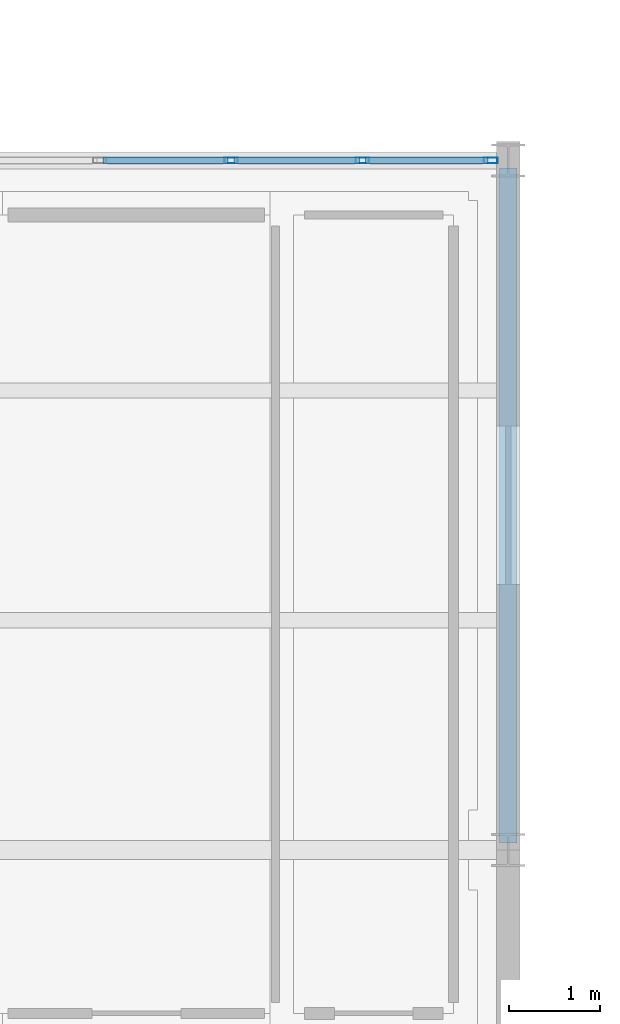
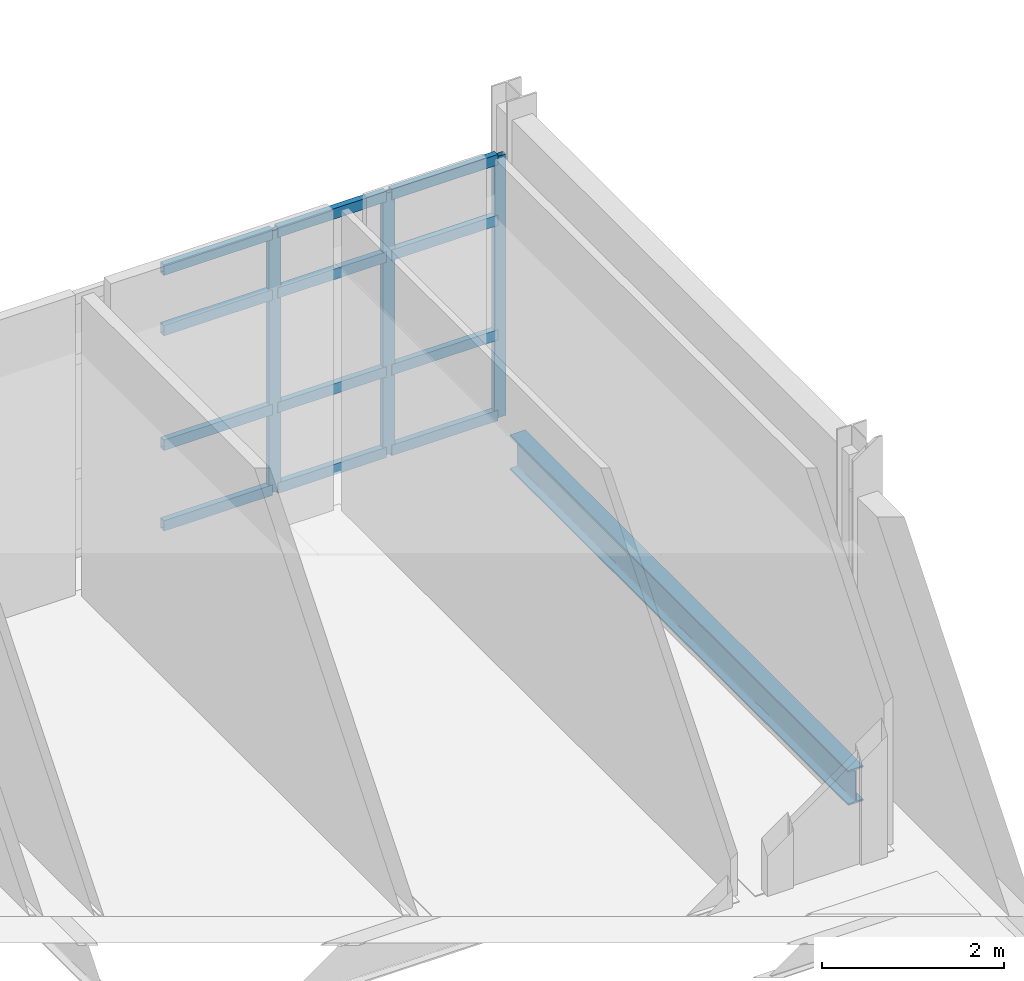
# One storey, part 59 of 174: 15 members, 1 beam, 1 element without a shape of its own.
"""IFC4 building model written with IfcOpenShell, lengths in metres."""

import ifcopenshell
import ifcopenshell.guid

model = None  # the IFC model being written
_history = None  # IfcOwnerHistory: only IFC2X3 demands one
_inside = {}  # id of a spatial element -> (the spatial element, [elements in it])
_under = {}  # id of a project, library or spatial element -> (it, [spatial elements below it])
_declared = {}  # id of a project -> (the project, [libraries it declares])
_typed = {}  # id of a type object -> (the type object, [elements of that type])
_made_of = {}  # id of a material, layer set ... -> (it, [elements and type objects made of it])


def new_model(schema):
    """Start an empty IFC model of exactly this schema.

    Asked for "IFC4X3", IfcOpenShell would pick the latest addendum, in which some entities
    have other attributes; the version numbers below select the first issue.
    IFC2X3 requires an IfcOwnerHistory on every rooted entity: one is made here for all.
    """
    global model, _history
    if schema == "IFC4X3":
        model = ifcopenshell.file(schema_version=(4, 3, 0, 0))
    else:
        model = ifcopenshell.file(schema=schema)
    _inside.clear()
    _under.clear()
    _declared.clear()
    _typed.clear()
    _made_of.clear()
    _history = None
    if model.schema == "IFC2X3":
        org = make("IfcOrganization", Name="unknown")
        user = make(
            "IfcPersonAndOrganization",
            ThePerson=make("IfcPerson", FamilyName="unknown"),
            TheOrganization=org,
        )
        app = make(
            "IfcApplication",
            ApplicationDeveloper=org,
            Version="unknown",
            ApplicationFullName="unknown",
            ApplicationIdentifier="unknown",
        )
        _history = make(
            "IfcOwnerHistory",
            OwningUser=user,
            OwningApplication=app,
            ChangeAction="ADDED",
            CreationDate=0,
        )
    return model


def make(cls, **values):
    """One entity of the class cls with the attributes given. An attribute that is None is left unset."""
    return model.create_entity(
        cls, **{name: value for name, value in values.items() if value is not None}
    )


def rooted(cls, **values):
    """An entity with a GlobalId (a new one), such as an element, a storey or a relation."""
    return make(cls, GlobalId=ifcopenshell.guid.new(), OwnerHistory=_history, **values)


def si_unit(unit_type, name, prefix=None):
    """IfcSIUnit, for example si_unit("LENGTHUNIT", "METRE", prefix="MILLI")."""
    return make("IfcSIUnit", UnitType=unit_type, Prefix=prefix, Name=name)


def assignment(units):
    """IfcUnitAssignment: the units of a project."""
    return None if units is None else make("IfcUnitAssignment", Units=units)


def point(xyz):
    """IfcCartesianPoint."""
    return None if xyz is None else make("IfcCartesianPoint", Coordinates=xyz)


def direction(xyz):
    """IfcDirection."""
    return None if xyz is None else make("IfcDirection", DirectionRatios=xyz)


def frame(location, z_axis=None, x_axis=None):
    """IfcAxis2Placement3D, a coordinate frame: its origin and axes. An axis left out is left unset."""
    return make(
        "IfcAxis2Placement3D",
        Location=point(location),
        Axis=direction(z_axis),
        RefDirection=direction(x_axis),
    )


def frame_2d(location, x_axis=None):
    """IfcAxis2Placement2D, a coordinate frame in the plane: its origin and x axis."""
    return make(
        "IfcAxis2Placement2D", Location=point(location), RefDirection=direction(x_axis)
    )


def origin():
    """The frame at (0, 0, 0) with its axes left unset."""
    return frame((0.0, 0.0, 0.0))


def origin_2d():
    """The frame at (0, 0) in the plane with its x axis left unset."""
    return frame_2d((0.0, 0.0))


def place(relative_to, where):
    """IfcLocalPlacement: puts the frame where relative to a parent placement (None: the world)."""
    return make(
        "IfcLocalPlacement", PlacementRelTo=relative_to, RelativePlacement=where
    )


def context(
    kind, dimensions, precision=None, world=None, true_north=None, identifier=None
):
    """IfcGeometricRepresentationContext, for example the 3D "Model" context."""
    return make(
        "IfcGeometricRepresentationContext",
        ContextIdentifier=identifier,
        ContextType=kind,
        CoordinateSpaceDimension=dimensions,
        Precision=precision,
        WorldCoordinateSystem=world,
        TrueNorth=true_north,
    )


def subcontext(parent, identifier, kind, view, scale=None):
    """IfcGeometricRepresentationSubContext, for example "Body" below "Model"."""
    return make(
        "IfcGeometricRepresentationSubContext",
        ContextIdentifier=identifier,
        ContextType=kind,
        ParentContext=parent,
        TargetScale=scale,
        TargetView=view,
    )


def project(units=None, contexts=None):
    """IfcProject with its units and contexts."""
    return rooted(
        "IfcProject",
        Name="project",
        RepresentationContexts=contexts,
        UnitsInContext=assignment(units),
    )


def spatial(cls, under=None, at=None, **own):
    """A site, building, storey or space (cls), placed at a placement, below another one or the project."""
    s = rooted(cls, ObjectPlacement=at, **own)
    if under is not None:
        _under.setdefault(under.id(), (under, []))[1].append(s)
    return s


def profile(cls, at=None, kind="AREA", **sizes):
    """A parametric profile (cls). Its sizes go by their IFC names, for example OverallWidth=200.0."""
    return make(cls, ProfileType=kind, Position=at, **sizes)


def hollow_rectangle(**sizes):
    """IfcRectangleHollowProfileDef."""
    return profile("IfcRectangleHollowProfileDef", **sizes)


def i_section(**sizes):
    """IfcIShapeProfileDef."""
    return profile("IfcIShapeProfileDef", **sizes)


def extrude(swept, where, along, depth):
    """IfcExtrudedAreaSolid: the profile swept, set in the frame where, extruded along a direction by depth."""
    return make(
        "IfcExtrudedAreaSolid",
        SweptArea=swept,
        Position=where,
        ExtrudedDirection=direction(along),
        Depth=depth,
    )


def shape(context_of_items, identifier, shape_type, items):
    """IfcShapeRepresentation: the items that make up one representation, for example the "Body"."""
    return make(
        "IfcShapeRepresentation",
        ContextOfItems=context_of_items,
        RepresentationIdentifier=identifier,
        RepresentationType=shape_type,
        Items=items,
    )


def material(Name=None, Category=None):
    """IfcMaterial."""
    return make("IfcMaterial", Name=Name, Category=Category)


def material_profile(
    of_material, cross_section, Name=None, Category=None, Priority=None
):
    """IfcMaterialProfile: a cross section and its material."""
    return make(
        "IfcMaterialProfile",
        Name=Name,
        Material=of_material,
        Profile=cross_section,
        Priority=Priority,
        Category=Category,
    )


def profile_set(profiles, Name=None, composite=None):
    """IfcMaterialProfileSet."""
    return make(
        "IfcMaterialProfileSet",
        Name=Name,
        MaterialProfiles=profiles,
        CompositeProfile=composite,
    )


def made_of(thing, what):
    """Note that an element or type object is made of a material, layer set ...; save() writes the relation."""
    if what is not None:
        _made_of.setdefault(what.id(), (what, []))[1].append(thing)
    return thing


def type_object(cls, material=None, **own):
    """A type object (cls), such as IfcWallType, which elements share."""
    return made_of(rooted(cls, **own), material)


def element(
    cls,
    number,
    at=None,
    inside=None,
    cuts=None,
    type_object=None,
    material=None,
    context=None,
    identifier="Body",
    shape_type=None,
    held_by="IfcProductDefinitionShape",
    body=None,
    shapes=None,
    **own,
):
    """One element of the class cls, such as IfcWall. Its Tag is "e" and its number.

    at: its placement. inside: the storey or other place that contains it. cuts: it is an
    opening in that element (IfcRelVoidsElement). A single representation is given by context,
    identifier, shape_type and body (its items); several are given by shapes. held_by: the class
    of the entity that holds the representations. save() writes the other relations.
    """
    e = rooted(cls, Tag="e%d" % number, ObjectPlacement=at, **own)
    if body is not None:
        shapes = [shape(context, identifier, shape_type, body)]
    if shapes is not None:
        e.Representation = make(held_by, Representations=shapes)
    if inside is not None:
        _inside.setdefault(inside.id(), (inside, []))[1].append(e)
    if cuts is not None:
        rooted(
            "IfcRelVoidsElement", RelatingBuildingElement=cuts, RelatedOpeningElement=e
        )
    if type_object is not None:
        _typed.setdefault(type_object.id(), (type_object, []))[1].append(e)
    return made_of(e, material)


def aggregate(whole, parts):
    """IfcRelAggregates: a whole, such as a stair, and the parts it consists of."""
    return rooted("IfcRelAggregates", RelatingObject=whole, RelatedObjects=parts)


def save(model, path):
    """Write the relations noted so far, then the file.

    IfcRelAggregates (storeys below a building ...), IfcRelContainedInSpatialStructure (elements
    in a storey), IfcRelDefinesByType, IfcRelAssociatesMaterial and IfcRelDeclares: one each for
    every whole, place, type object, material and project.
    """
    for whole, parts in _under.values():
        aggregate(whole, parts)
    for where, things in _inside.values():
        rooted(
            "IfcRelContainedInSpatialStructure",
            RelatedElements=things,
            RelatingStructure=where,
        )
    for kind, things in _typed.values():
        rooted("IfcRelDefinesByType", RelatedObjects=things, RelatingType=kind)
    for what, things in _made_of.values():
        rooted("IfcRelAssociatesMaterial", RelatedObjects=things, RelatingMaterial=what)
    for by, libraries in _declared.values():
        rooted("IfcRelDeclares", RelatingContext=by, RelatedDefinitions=libraries)
    model.write(path)


model = new_model("IFC4")

# Units and contexts
model_context = context("Model", 3, precision=1e-05, world=origin(), true_north=direction((0.0, 1.0)))
body_context = subcontext(model_context, "Body", "Model", "MODEL_VIEW")
ifc_project = project(units=[si_unit("LENGTHUNIT", "METRE"), si_unit("AREAUNIT", "SQUARE_METRE"), si_unit("VOLUMEUNIT", "CUBIC_METRE"), si_unit("PLANEANGLEUNIT", "RADIAN"), si_unit("MASSUNIT", "GRAM", prefix="KILO")], contexts=[model_context])

# Site, building, storey
site_placement = place(None, origin())
site = spatial("IfcSite", under=ifc_project, at=site_placement, CompositionType="ELEMENT")
building_placement = place(site_placement, origin())
building = spatial("IfcBuilding", under=site, at=building_placement, Name="Caisbarro Railhouse Central Library", CompositionType="ELEMENT")
storey_placement = place(building_placement, frame((0.0, 0.0, 5.0400390625)))
storey = spatial("IfcBuildingStorey", under=building, at=storey_placement, Name="L01", CompositionType="ELEMENT", Elevation=5.0400390625)

# Beam
ifc_material_1 = material(Name="Steel ASTM A572 Grade 50", Category="steel")
ifc_material_profile_1 = material_profile(ifc_material_1, i_section(OverallWidth=0.194091796875, OverallDepth=0.468994140625, WebThickness=0.0126953125, FlangeThickness=0.0205078125, FilletRadius=0.01806640625, at=origin_2d()), Name="W460X106.0")
ifc_profile_set_1 = profile_set([ifc_material_profile_1], Name="Steel ASTM A572 Grade 50")
beam_type = type_object("IfcBeamType", Name="BM-G07", PredefinedType="BEAM", material=ifc_profile_set_1)
beam_placement = place(storey_placement, frame((108.0, 22.8798828125, -0.474609375), z_axis=(0.0, 1.0, 0.0), x_axis=(-1.0, 0.0, 0.0)))
element("IfcBeam", 1, at=beam_placement, inside=storey, type_object=beam_type, Name="G07 beam L01 #749", PredefinedType="BEAM", context=body_context, shape_type="SweptSolid", body=[
    extrude(i_section(OverallWidth=0.194091796875, OverallDepth=0.468994140625, WebThickness=0.0126953125, FlangeThickness=0.0205078125, FilletRadius=0.01806640625, at=origin_2d()), origin(), (0.0, 0.0, 1.0), 7.440185546875),
])

# Curtain wall, members
ifc_material_2 = material(Name="Anodised architectural aluminium", Category="aluminium")
curtain_wall_type = type_object("IfcCurtainWallType", Name="CW-CW02", PredefinedType="NOTDEFINED", material=ifc_material_2)
curtain_wall_placement = place(storey_placement, origin())
curtain_wall = element("IfcCurtainWall", 2, at=curtain_wall_placement, inside=storey, type_object=curtain_wall_type, Name="CW02 curtain wall L01 #57", PredefinedType="NOTDEFINED")
ifc_material_profile_2 = material_profile(ifc_material_2, hollow_rectangle(XDim=0.06494140625, YDim=0.14990234375, WallThickness=0.00390625, at=origin_2d()), Name="ALU-MUL-65X150")
ifc_profile_set_2 = profile_set([ifc_material_profile_2], Name="Anodised architectural aluminium")
member_type_1 = type_object("IfcMemberType", Name="CWM-M02", PredefinedType="MULLION", material=ifc_profile_set_2)
member_1_placement = place(storey_placement, frame((104.94677734375, 30.39990234375, 0.0), z_axis=(0.0, 0.0, 1.0), x_axis=(0.0, 1.0, 0.0)))
member_1 = element("IfcMember", 3, at=member_1_placement, type_object=member_type_1, Name="CW02 mullion 5", PredefinedType="MULLION", context=body_context, shape_type="SweptSolid", body=[
    extrude(hollow_rectangle(XDim=0.06494140625, YDim=0.14990234375, WallThickness=0.00390625, at=origin_2d()), origin(), (0.0, 0.0, 1.0), 3.510009765625),
])
member_2_placement = place(storey_placement, frame((106.393310546875, 30.39990234375, 0.0), z_axis=(0.0, 0.0, 1.0), x_axis=(0.0, 1.0, 0.0)))
member_2 = element("IfcMember", 4, at=member_2_placement, type_object=member_type_1, Name="CW02 mullion 6", PredefinedType="MULLION", context=body_context, shape_type="SweptSolid", body=[
    extrude(hollow_rectangle(XDim=0.06494140625, YDim=0.14990234375, WallThickness=0.00390625, at=origin_2d()), origin(), (0.0, 0.0, 1.0), 3.510009765625),
])
member_3_placement = place(storey_placement, frame((107.8076171875, 30.39990234375, 0.0), z_axis=(0.0, 0.0, 1.0), x_axis=(0.0, 1.0, 0.0)))
member_3 = element("IfcMember", 5, at=member_3_placement, type_object=member_type_1, Name="CW02 mullion 7", PredefinedType="MULLION", context=body_context, shape_type="SweptSolid", body=[
    extrude(hollow_rectangle(XDim=0.06494140625, YDim=0.14990234375, WallThickness=0.00390625, at=origin_2d()), origin(), (0.0, 0.0, 1.0), 3.510009765625),
])
ifc_material_profile_3 = material_profile(ifc_material_2, hollow_rectangle(XDim=0.074951171875, YDim=0.139892578125, WallThickness=0.00390625, at=origin_2d()), Name="ALU-TRN-75X140")
ifc_profile_set_3 = profile_set([ifc_material_profile_3], Name="Anodised architectural aluminium")
member_type_2 = type_object("IfcMemberType", Name="CWT-T01", PredefinedType="USERDEFINED", material=ifc_profile_set_3)
member_4_placement = place(storey_placement, frame((103.532470703125, 30.39990234375, 0.037353515625), z_axis=(1.0, 0.0, 0.0), x_axis=(0.0, 1.0, 0.0)))
member_4 = element("IfcMember", 6, at=member_4_placement, type_object=member_type_2, Name="CW02 transom 4.1", ObjectType="TRANSOM", PredefinedType="USERDEFINED", context=body_context, shape_type="SweptSolid", body=[
    extrude(hollow_rectangle(XDim=0.074951171875, YDim=0.139892578125, WallThickness=0.00390625, at=origin_2d()), origin(), (0.0, 0.0, 1.0), 1.381591796875),
])
member_5_placement = place(storey_placement, frame((103.532470703125, 30.39990234375, 1.119873046875), z_axis=(1.0, 0.0, 0.0), x_axis=(0.0, 1.0, 0.0)))
member_5 = element("IfcMember", 7, at=member_5_placement, type_object=member_type_2, Name="CW02 transom 4.2", ObjectType="TRANSOM", PredefinedType="USERDEFINED", context=body_context, shape_type="SweptSolid", body=[
    extrude(hollow_rectangle(XDim=0.074951171875, YDim=0.139892578125, WallThickness=0.00390625, at=origin_2d()), origin(), (0.0, 0.0, 1.0), 1.381591796875),
])
member_6_placement = place(storey_placement, frame((103.532470703125, 30.39990234375, 2.659912109375), z_axis=(1.0, 0.0, 0.0), x_axis=(0.0, 1.0, 0.0)))
member_6 = element("IfcMember", 8, at=member_6_placement, type_object=member_type_2, Name="CW02 transom 4.3", ObjectType="TRANSOM", PredefinedType="USERDEFINED", context=body_context, shape_type="SweptSolid", body=[
    extrude(hollow_rectangle(XDim=0.074951171875, YDim=0.139892578125, WallThickness=0.00390625, at=origin_2d()), origin(), (0.0, 0.0, 1.0), 1.381591796875),
])
member_7_placement = place(storey_placement, frame((103.532470703125, 30.39990234375, 3.472412109375), z_axis=(1.0, 0.0, 0.0), x_axis=(0.0, 1.0, 0.0)))
member_7 = element("IfcMember", 9, at=member_7_placement, type_object=member_type_2, Name="CW02 transom 4.4", ObjectType="TRANSOM", PredefinedType="USERDEFINED", context=body_context, shape_type="SweptSolid", body=[
    extrude(hollow_rectangle(XDim=0.074951171875, YDim=0.139892578125, WallThickness=0.00390625, at=origin_2d()), origin(), (0.0, 0.0, 1.0), 1.381591796875),
])
member_8_placement = place(storey_placement, frame((104.979248046875, 30.39990234375, 0.037353515625), z_axis=(1.0, 0.0, 0.0), x_axis=(0.0, 1.0, 0.0)))
member_8 = element("IfcMember", 10, at=member_8_placement, type_object=member_type_2, Name="CW02 transom 5.1", ObjectType="TRANSOM", PredefinedType="USERDEFINED", context=body_context, shape_type="SweptSolid", body=[
    extrude(hollow_rectangle(XDim=0.074951171875, YDim=0.139892578125, WallThickness=0.00390625, at=origin_2d()), origin(), (0.0, 0.0, 1.0), 1.381591796875),
])
member_9_placement = place(storey_placement, frame((104.979248046875, 30.39990234375, 1.119873046875), z_axis=(1.0, 0.0, 0.0), x_axis=(0.0, 1.0, 0.0)))
member_9 = element("IfcMember", 11, at=member_9_placement, type_object=member_type_2, Name="CW02 transom 5.2", ObjectType="TRANSOM", PredefinedType="USERDEFINED", context=body_context, shape_type="SweptSolid", body=[
    extrude(hollow_rectangle(XDim=0.074951171875, YDim=0.139892578125, WallThickness=0.00390625, at=origin_2d()), origin(), (0.0, 0.0, 1.0), 1.381591796875),
])
member_10_placement = place(storey_placement, frame((104.979248046875, 30.39990234375, 2.659912109375), z_axis=(1.0, 0.0, 0.0), x_axis=(0.0, 1.0, 0.0)))
member_10 = element("IfcMember", 12, at=member_10_placement, type_object=member_type_2, Name="CW02 transom 5.3", ObjectType="TRANSOM", PredefinedType="USERDEFINED", context=body_context, shape_type="SweptSolid", body=[
    extrude(hollow_rectangle(XDim=0.074951171875, YDim=0.139892578125, WallThickness=0.00390625, at=origin_2d()), origin(), (0.0, 0.0, 1.0), 1.381591796875),
])
member_11_placement = place(storey_placement, frame((104.979248046875, 30.39990234375, 3.472412109375), z_axis=(1.0, 0.0, 0.0), x_axis=(0.0, 1.0, 0.0)))
member_11 = element("IfcMember", 13, at=member_11_placement, type_object=member_type_2, Name="CW02 transom 5.4", ObjectType="TRANSOM", PredefinedType="USERDEFINED", context=body_context, shape_type="SweptSolid", body=[
    extrude(hollow_rectangle(XDim=0.074951171875, YDim=0.139892578125, WallThickness=0.00390625, at=origin_2d()), origin(), (0.0, 0.0, 1.0), 1.381591796875),
])
member_12_placement = place(storey_placement, frame((106.42578125, 30.39990234375, 0.037353515625), z_axis=(1.0, 0.0, 0.0), x_axis=(0.0, 1.0, 0.0)))
member_12 = element("IfcMember", 14, at=member_12_placement, type_object=member_type_2, Name="CW02 transom 6.1", ObjectType="TRANSOM", PredefinedType="USERDEFINED", context=body_context, shape_type="SweptSolid", body=[
    extrude(hollow_rectangle(XDim=0.074951171875, YDim=0.139892578125, WallThickness=0.00390625, at=origin_2d()), origin(), (0.0, 0.0, 1.0), 1.34912109375),
])
member_13_placement = place(storey_placement, frame((106.42578125, 30.39990234375, 1.119873046875), z_axis=(1.0, 0.0, 0.0), x_axis=(0.0, 1.0, 0.0)))
member_13 = element("IfcMember", 15, at=member_13_placement, type_object=member_type_2, Name="CW02 transom 6.2", ObjectType="TRANSOM", PredefinedType="USERDEFINED", context=body_context, shape_type="SweptSolid", body=[
    extrude(hollow_rectangle(XDim=0.074951171875, YDim=0.139892578125, WallThickness=0.00390625, at=origin_2d()), origin(), (0.0, 0.0, 1.0), 1.34912109375),
])
member_14_placement = place(storey_placement, frame((106.42578125, 30.39990234375, 2.659912109375), z_axis=(1.0, 0.0, 0.0), x_axis=(0.0, 1.0, 0.0)))
member_14 = element("IfcMember", 16, at=member_14_placement, type_object=member_type_2, Name="CW02 transom 6.3", ObjectType="TRANSOM", PredefinedType="USERDEFINED", context=body_context, shape_type="SweptSolid", body=[
    extrude(hollow_rectangle(XDim=0.074951171875, YDim=0.139892578125, WallThickness=0.00390625, at=origin_2d()), origin(), (0.0, 0.0, 1.0), 1.34912109375),
])
member_15_placement = place(storey_placement, frame((106.42578125, 30.39990234375, 3.472412109375), z_axis=(1.0, 0.0, 0.0), x_axis=(0.0, 1.0, 0.0)))
member_15 = element("IfcMember", 17, at=member_15_placement, type_object=member_type_2, Name="CW02 transom 6.4", ObjectType="TRANSOM", PredefinedType="USERDEFINED", context=body_context, shape_type="SweptSolid", body=[
    extrude(hollow_rectangle(XDim=0.074951171875, YDim=0.139892578125, WallThickness=0.00390625, at=origin_2d()), origin(), (0.0, 0.0, 1.0), 1.34912109375),
])
aggregate(curtain_wall, [member_1, member_2, member_3, member_4, member_5, member_6, member_7, member_8, member_9, member_10, member_11, member_12, member_13, member_14, member_15])

save(model, "model.ifc")
